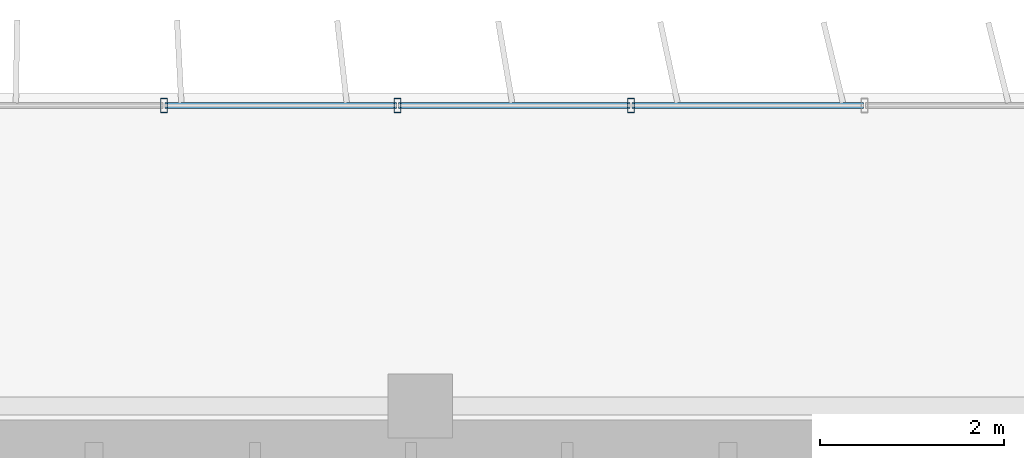
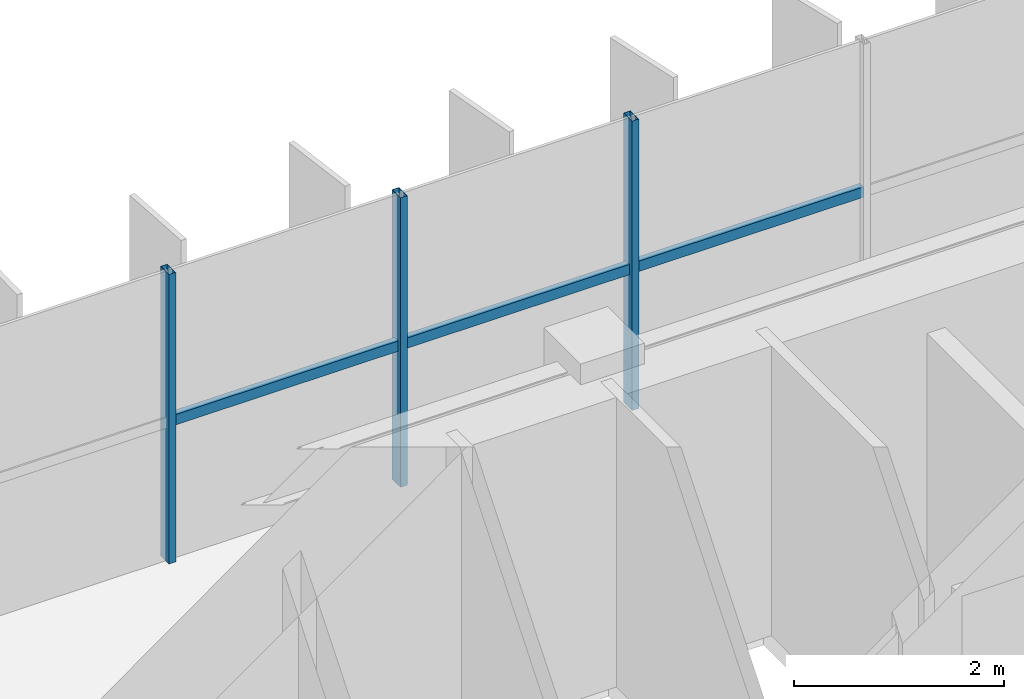
# One storey, part 11 of 23: 6 members, 1 element without a shape of its own.
"""IFC4 building model written with IfcOpenShell, lengths in metres."""

from ifc_helpers import new_model, si_unit, direction, frame, origin, origin_2d, place, context, subcontext, project, spatial, hollow_rectangle, extrude, source, transform, mapped, material, material_profile, profile_set, type_object, element, aggregate, save


model = new_model("IFC4")

# Units and contexts
model_context = context("Model", 3, precision=1e-05, world=origin(), true_north=direction((0.0, 1.0)))
body_context = subcontext(model_context, "Body", "Model", "MODEL_VIEW")
ifc_project = project(units=[si_unit("LENGTHUNIT", "METRE"), si_unit("AREAUNIT", "SQUARE_METRE"), si_unit("VOLUMEUNIT", "CUBIC_METRE"), si_unit("PLANEANGLEUNIT", "RADIAN"), si_unit("MASSUNIT", "GRAM", prefix="KILO")], contexts=[model_context])

# Site, building, storey
site_placement = place(None, origin())
site = spatial("IfcSite", under=ifc_project, at=site_placement, CompositionType="ELEMENT")
building_placement = place(site_placement, origin())
building = spatial("IfcBuilding", under=site, at=building_placement, Name="Trelvane Seafront Commons", CompositionType="ELEMENT")
storey_placement = place(building_placement, frame((0.0, 0.0, 230.10009765625)))
storey = spatial("IfcBuildingStorey", under=building, at=storey_placement, Name="L60", CompositionType="ELEMENT", Elevation=230.10009765625)

# Curtain wall, members
ifc_material = material(Name="Anodised pale-silver aluminium", Category="aluminium")
curtain_wall_type = type_object("IfcCurtainWallType", Name="ARCH-CW5-UPTOWER", PredefinedType="NOTDEFINED", material=ifc_material)
curtain_wall_placement = place(storey_placement, origin())
curtain_wall = element("IfcCurtainWall", 1, at=curtain_wall_placement, inside=storey, type_object=curtain_wall_type, Name="CW-L60-0103", PredefinedType="NOTDEFINED")
ifc_material_profile_1 = material_profile(ifc_material, hollow_rectangle(XDim=0.070068359375, YDim=0.1201171875, WallThickness=0.00390625, at=origin_2d()), Name="TRAN-70x120x4")
ifc_profile_set_1 = profile_set([ifc_material_profile_1], Name="Anodised pale-silver aluminium")
member_type_1 = type_object("IfcMemberType", Name="ARCH-CW-TRAN-120", PredefinedType="USERDEFINED", material=ifc_profile_set_1)
shared_shape_1 = source(origin(), body_context, "Body", "SweptSolid", [
    extrude(hollow_rectangle(XDim=0.070068359375, YDim=0.1201171875, WallThickness=0.00390625, at=origin_2d()), origin(), (0.0, 0.0, 1.0), 2.51708984375),
])
member_1_placement = place(storey_placement, frame((43.56494140625, 48.3701171875, 1.61279296875), z_axis=(1.0, 0.0, 0.0), x_axis=(0.0, 1.0, 0.0)))
member_1 = element("IfcMember", 2, at=member_1_placement, type_object=member_type_1, Name="CW-L60-0103-T11", ObjectType="TRANSOM", PredefinedType="USERDEFINED", context=body_context, shape_type="MappedRepresentation", body=[
    mapped(shared_shape_1, transform((0.0, 0.0, 0.0), x_axis=(1.0, 0.0, 0.0), y_axis=(0.0, 1.0, 0.0), z_axis=(0.0, 0.0, 1.0), scale=1.0)),
])
member_2_placement = place(storey_placement, frame((46.106201171875, 48.3701171875, 1.61279296875), z_axis=(1.0, 0.0, 0.0), x_axis=(0.0, 1.0, 0.0)))
member_2 = element("IfcMember", 3, at=member_2_placement, type_object=member_type_1, Name="CW-L60-0103-T12", ObjectType="TRANSOM", PredefinedType="USERDEFINED", context=body_context, shape_type="MappedRepresentation", body=[
    mapped(shared_shape_1, transform((0.0, 0.0, 0.0), x_axis=(1.0, 0.0, 0.0), y_axis=(0.0, 1.0, 0.0), z_axis=(0.0, 0.0, 1.0), scale=1.0)),
])
shared_shape_2 = source(origin(), body_context, "Body", "SweptSolid", [
    extrude(hollow_rectangle(XDim=0.070068359375, YDim=0.1201171875, WallThickness=0.00390625, at=origin_2d()), origin(), (0.0, 0.0, 1.0), 2.517333984375),
])
member_3_placement = place(storey_placement, frame((41.023681640625, 48.3701171875, 1.61279296875), z_axis=(1.0, 0.0, 0.0), x_axis=(0.0, 1.0, 0.0)))
member_3 = element("IfcMember", 4, at=member_3_placement, type_object=member_type_1, Name="CW-L60-0103-T10", ObjectType="TRANSOM", PredefinedType="USERDEFINED", context=body_context, shape_type="MappedRepresentation", body=[
    mapped(shared_shape_2, transform((0.0, 0.0, 0.0), x_axis=(1.0, 0.0, 0.0), y_axis=(0.0, 1.0, 0.0), z_axis=(0.0, 0.0, 1.0), scale=1.0)),
])
ifc_material_profile_2 = material_profile(ifc_material, hollow_rectangle(XDim=0.074951171875, YDim=0.159912109375, WallThickness=0.00390625, at=origin_2d()), Name="MULL-75x160x4")
ifc_profile_set_2 = profile_set([ifc_material_profile_2], Name="Anodised pale-silver aluminium")
member_type_2 = type_object("IfcMemberType", Name="ARCH-CW-MULL-160", PredefinedType="MULLION", material=ifc_profile_set_2)
shared_shape_3 = source(origin(), body_context, "Body", "SweptSolid", [
    extrude(hollow_rectangle(XDim=0.074951171875, YDim=0.159912109375, WallThickness=0.00390625, at=origin_2d()), origin(), (0.0, 0.0, 1.0), 3.35986328125),
])
member_4_placement = place(storey_placement, frame((41.01171875, 48.3701171875, 0.0), z_axis=(0.0, 0.0, 1.0), x_axis=(1.0, 0.0, 0.0)))
member_4 = element("IfcMember", 5, at=member_4_placement, type_object=member_type_2, Name="CW-L60-0103-M10", PredefinedType="MULLION", context=body_context, shape_type="MappedRepresentation", body=[
    mapped(shared_shape_3, transform((0.0, 0.0, 0.0), x_axis=(1.0, 0.0, 0.0), y_axis=(0.0, 1.0, 0.0), z_axis=(0.0, 0.0, 1.0), scale=1.0)),
])
member_5_placement = place(storey_placement, frame((43.552978515625, 48.3701171875, 0.0), z_axis=(0.0, 0.0, 1.0), x_axis=(1.0, 0.0, 0.0)))
member_5 = element("IfcMember", 6, at=member_5_placement, type_object=member_type_2, Name="CW-L60-0103-M11", PredefinedType="MULLION", context=body_context, shape_type="MappedRepresentation", body=[
    mapped(shared_shape_3, transform((0.0, 0.0, 0.0), x_axis=(1.0, 0.0, 0.0), y_axis=(0.0, 1.0, 0.0), z_axis=(0.0, 0.0, 1.0), scale=1.0)),
])
member_6_placement = place(storey_placement, frame((46.093994140625, 48.3701171875, 0.0), z_axis=(0.0, 0.0, 1.0), x_axis=(1.0, 0.0, 0.0)))
member_6 = element("IfcMember", 7, at=member_6_placement, type_object=member_type_2, Name="CW-L60-0103-M12", PredefinedType="MULLION", context=body_context, shape_type="MappedRepresentation", body=[
    mapped(shared_shape_3, transform((0.0, 0.0, 0.0), x_axis=(1.0, 0.0, 0.0), y_axis=(0.0, 1.0, 0.0), z_axis=(0.0, 0.0, 1.0), scale=1.0)),
])
aggregate(curtain_wall, [member_4, member_5, member_6, member_3, member_1, member_2])

save(model, "model.ifc")
